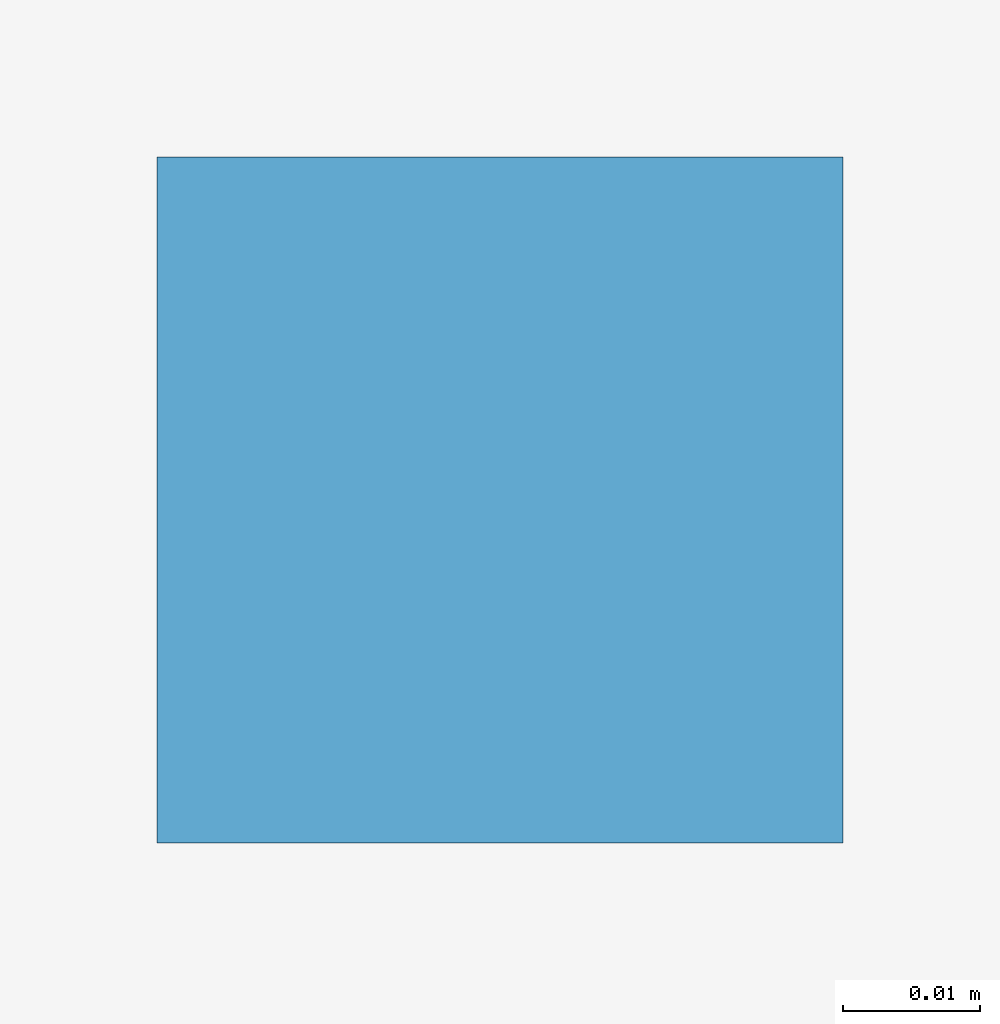
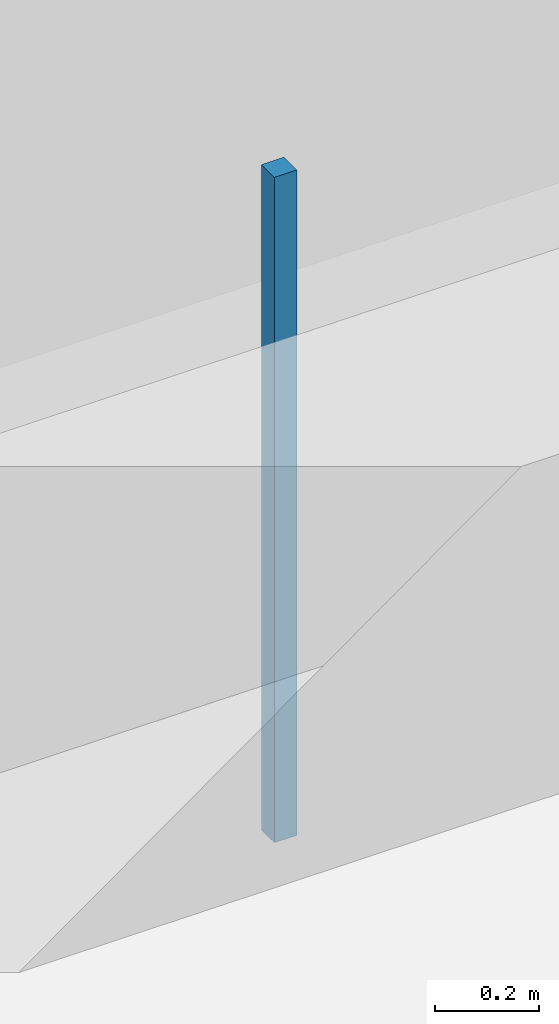
# One storey, part 33 of 48: 1 discrete accessory.
"""IFC4 building model written with IfcOpenShell, lengths in metres."""

from ifc_helpers import new_model, si_unit, direction, frame, origin, origin_2d, place, context, subcontext, project, spatial, rectangle, extrude, material, type_object, element, save


model = new_model("IFC4")

# Units and contexts
model_context = context("Model", 3, precision=1e-05, world=origin(), true_north=direction((0.0, 1.0)))
body_context = subcontext(model_context, "Body", "Model", "MODEL_VIEW")
ifc_project = project(units=[si_unit("LENGTHUNIT", "METRE"), si_unit("AREAUNIT", "SQUARE_METRE"), si_unit("VOLUMEUNIT", "CUBIC_METRE"), si_unit("PLANEANGLEUNIT", "RADIAN"), si_unit("MASSUNIT", "GRAM", prefix="KILO")], contexts=[model_context])

# Site, building, storey
site_placement = place(None, origin())
site = spatial("IfcSite", under=ifc_project, at=site_placement, CompositionType="ELEMENT")
building_placement = place(site_placement, origin())
building = spatial("IfcBuilding", under=site, at=building_placement, Name="Kazehaya Institute of Natural Sciences", CompositionType="ELEMENT")
storey_placement = place(building_placement, frame((0.0, 0.0, 19.800048828125)))
storey = spatial("IfcBuildingStorey", under=building, at=storey_placement, Name="L04", CompositionType="ELEMENT", Elevation=19.800048828125)

# Discrete accessory
ifc_material = material(Name="Structural steel SN490B", Category="steel")
discrete_accessory_type = type_object("IfcDiscreteAccessoryType", Name="ACC-CLG-HGR", PredefinedType="BRACKET", material=ifc_material)
discrete_accessory_placement = place(storey_placement, frame((79.8046875, 14.5703125, 2.8525390625), z_axis=(0.0, 0.0, 1.0), x_axis=(1.0, 0.0, 0.0)))
element("IfcDiscreteAccessory", 1, at=discrete_accessory_placement, inside=storey, type_object=discrete_accessory_type, Name="L04 ceiling suspension hanger 40", PredefinedType="BRACKET", context=body_context, shape_type="SweptSolid", body=[
    extrude(rectangle(XDim=0.050048828125, YDim=0.050048828125, at=origin_2d()), origin(), (0.0, 0.0, 1.0), 1.5673828125),
])

save(model, "model.ifc")
